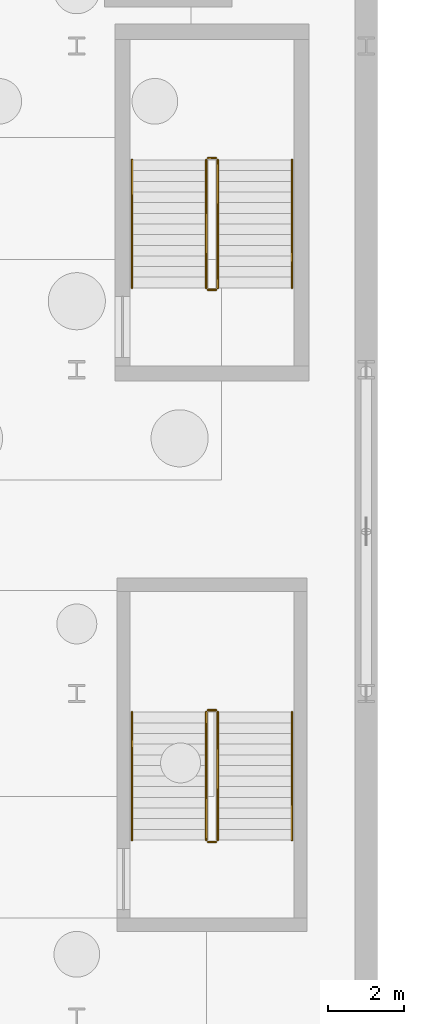
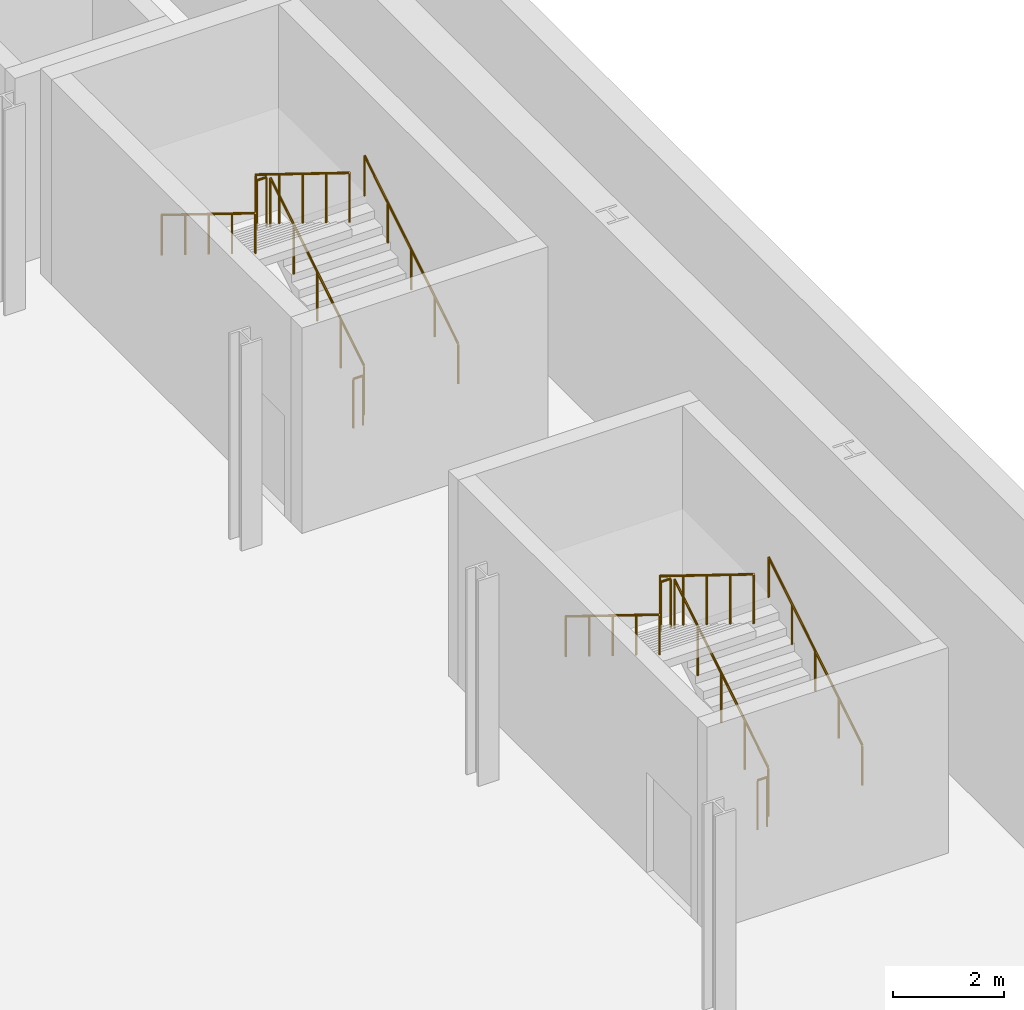
# One storey, part 44 of 45: 12 railings.
"""IFC4 building model written with IfcOpenShell, lengths in metres."""

from ifc_helpers import new_model, si_unit, direction, frame, origin, origin_2d, place, context, subcontext, project, spatial, circle, extrude, material, type_object, element, save


model = new_model("IFC4")

# Units and contexts
model_context = context("Model", 3, precision=1e-05, world=origin(), true_north=direction((0.0, 1.0)))
body_context = subcontext(model_context, "Body", "Model", "MODEL_VIEW")
ifc_project = project(units=[si_unit("LENGTHUNIT", "METRE"), si_unit("AREAUNIT", "SQUARE_METRE"), si_unit("VOLUMEUNIT", "CUBIC_METRE"), si_unit("PLANEANGLEUNIT", "RADIAN"), si_unit("MASSUNIT", "GRAM", prefix="KILO")], contexts=[model_context])

# Site, building, storey
site_placement = place(None, origin())
site = spatial("IfcSite", under=ifc_project, at=site_placement, CompositionType="ELEMENT")
building_placement = place(site_placement, origin())
building = spatial("IfcBuilding", under=site, at=building_placement, Name="Sefraquen Railside Congress Hotel", CompositionType="ELEMENT")
storey_placement = place(building_placement, frame((0.0, 0.0, -4.5)))
storey = spatial("IfcBuildingStorey", under=building, at=storey_placement, Name="B01", CompositionType="ELEMENT", Elevation=-4.5)

# Railings
ifc_material = material(Name="Patinated wrought architectural bronze", Category="metal")
railing_type_1 = type_object("IfcRailingType", Name="TRL-BAL-110", PredefinedType="BALUSTRADE", material=ifc_material)
railing_1_placement = place(storey_placement, frame((168.10009765625, 81.64990234375, 0.173095703125)))
element("IfcRailing", 1, at=railing_1_placement, inside=storey, type_object=railing_type_1, Name="B01 ST-B01 stair guard 1", PredefinedType="BALUSTRADE", context=body_context, shape_type="SweptSolid", body=[
    extrude(circle(Radius=0.02392578125, at=origin_2d()), frame((0.0, 0.0, 1.076171875), z_axis=(0.0, 0.850623216509, 0.525775754039), x_axis=(-1.0, 0.0, 0.0)), (0.0, 0.0, 1.0), 3.9501953125),
    extrude(circle(Radius=0.02099609375, at=origin_2d()), origin(), (0.0, 0.0, 1.0), 1.052001953125),
    extrude(circle(Radius=0.02099609375, at=origin_2d()), frame((0.0, 0.840087890625, 0.519287109375)), (0.0, 0.0, 1.0), 1.052001953125),
    extrude(circle(Radius=0.02099609375, at=origin_2d()), frame((0.0, 1.68017578125, 1.03857421875)), (0.0, 0.0, 1.0), 1.052001953125),
    extrude(circle(Radius=0.02099609375, at=origin_2d()), frame((0.0, 2.52001953125, 1.5576171875)), (0.0, 0.0, 1.0), 1.052001953125),
    extrude(circle(Radius=0.02099609375, at=origin_2d()), frame((0.0, 3.360107421875, 2.076904296875)), (0.0, 0.0, 1.0), 1.052001953125),
])
railing_2_placement = place(storey_placement, frame((168.050048828125, 85.06005859375, 2.25)))
element("IfcRailing", 2, at=railing_2_placement, inside=storey, type_object=railing_type_1, Name="B01 ST-B01 stair guard 2", PredefinedType="BALUSTRADE", context=body_context, shape_type="SweptSolid", body=[
    extrude(circle(Radius=0.02392578125, at=origin_2d()), frame((0.0, 0.0, 1.076171875), z_axis=(-1.0, 0.0, 0.0), x_axis=(0.0, -1.0, 0.0)), (0.0, 0.0, 1.0), 0.199951171875),
    extrude(circle(Radius=0.02099609375, at=origin_2d()), origin(), (0.0, 0.0, 1.0), 1.052001953125),
    extrude(circle(Radius=0.02099609375, at=origin_2d()), frame((-0.199951171875, 0.0, 0.0)), (0.0, 0.0, 1.0), 1.052001953125),
])
railing_3_placement = place(storey_placement, frame((167.800048828125, 85.010009765625, 2.423095703125)))
element("IfcRailing", 3, at=railing_3_placement, inside=storey, type_object=railing_type_1, Name="B01 ST-B01 stair guard 3", PredefinedType="BALUSTRADE", context=body_context, shape_type="SweptSolid", body=[
    extrude(circle(Radius=0.02392578125, at=origin_2d()), frame((0.0, 0.0, 1.076171875), z_axis=(0.0, -0.850623216509, 0.525775754039), x_axis=(1.0, 0.0, 0.0)), (0.0, 0.0, 1.0), 3.9501953125),
    extrude(circle(Radius=0.02099609375, at=origin_2d()), origin(), (0.0, 0.0, 1.0), 1.052001953125),
    extrude(circle(Radius=0.02099609375, at=origin_2d()), frame((0.0, -0.840087890625, 0.519287109375)), (0.0, 0.0, 1.0), 1.052001953125),
    extrude(circle(Radius=0.02099609375, at=origin_2d()), frame((0.0, -1.68017578125, 1.03857421875)), (0.0, 0.0, 1.0), 1.052001953125),
    extrude(circle(Radius=0.02099609375, at=origin_2d()), frame((0.0, -2.52001953125, 1.5576171875)), (0.0, 0.0, 1.0), 1.052001953125),
    extrude(circle(Radius=0.02099609375, at=origin_2d()), frame((0.0, -3.360107421875, 2.076904296875)), (0.0, 0.0, 1.0), 1.052001953125),
])
railing_4_placement = place(storey_placement, frame((168.050048828125, 81.60009765625, 0.0)))
element("IfcRailing", 4, at=railing_4_placement, inside=storey, type_object=railing_type_1, Name="B01 ST-B01 stair guard 4", PredefinedType="BALUSTRADE", context=body_context, shape_type="SweptSolid", body=[
    extrude(circle(Radius=0.02392578125, at=origin_2d()), frame((0.0, 0.0, 1.076171875), z_axis=(-1.0, 0.0, 0.0), x_axis=(0.0, -1.0, 0.0)), (0.0, 0.0, 1.0), 0.199951171875),
    extrude(circle(Radius=0.02099609375, at=origin_2d()), origin(), (0.0, 0.0, 1.0), 1.052001953125),
    extrude(circle(Radius=0.02099609375, at=origin_2d()), frame((-0.199951171875, 0.0, 0.0)), (0.0, 0.0, 1.0), 1.052001953125),
])
railing_5_placement = place(storey_placement, frame((168.10009765625, 67.14990234375, 0.173095703125)))
element("IfcRailing", 5, at=railing_5_placement, inside=storey, type_object=railing_type_1, Name="B01 ST-B02 stair guard 1", PredefinedType="BALUSTRADE", context=body_context, shape_type="SweptSolid", body=[
    extrude(circle(Radius=0.02392578125, at=origin_2d()), frame((0.0, 0.0, 1.076171875), z_axis=(0.0, 0.850623216509, 0.525775754039), x_axis=(-1.0, 0.0, 0.0)), (0.0, 0.0, 1.0), 3.9501953125),
    extrude(circle(Radius=0.02099609375, at=origin_2d()), origin(), (0.0, 0.0, 1.0), 1.052001953125),
    extrude(circle(Radius=0.02099609375, at=origin_2d()), frame((0.0, 0.840087890625, 0.519287109375)), (0.0, 0.0, 1.0), 1.052001953125),
    extrude(circle(Radius=0.02099609375, at=origin_2d()), frame((0.0, 1.68017578125, 1.03857421875)), (0.0, 0.0, 1.0), 1.052001953125),
    extrude(circle(Radius=0.02099609375, at=origin_2d()), frame((0.0, 2.52001953125, 1.5576171875)), (0.0, 0.0, 1.0), 1.052001953125),
    extrude(circle(Radius=0.02099609375, at=origin_2d()), frame((0.0, 3.360107421875, 2.076904296875)), (0.0, 0.0, 1.0), 1.052001953125),
])
railing_6_placement = place(storey_placement, frame((168.050048828125, 70.56005859375, 2.25)))
element("IfcRailing", 6, at=railing_6_placement, inside=storey, type_object=railing_type_1, Name="B01 ST-B02 stair guard 2", PredefinedType="BALUSTRADE", context=body_context, shape_type="SweptSolid", body=[
    extrude(circle(Radius=0.02392578125, at=origin_2d()), frame((0.0, 0.0, 1.076171875), z_axis=(-1.0, 0.0, 0.0), x_axis=(0.0, -1.0, 0.0)), (0.0, 0.0, 1.0), 0.199951171875),
    extrude(circle(Radius=0.02099609375, at=origin_2d()), origin(), (0.0, 0.0, 1.0), 1.052001953125),
    extrude(circle(Radius=0.02099609375, at=origin_2d()), frame((-0.199951171875, 0.0, 0.0)), (0.0, 0.0, 1.0), 1.052001953125),
])
railing_7_placement = place(storey_placement, frame((167.800048828125, 70.510009765625, 2.423095703125)))
element("IfcRailing", 7, at=railing_7_placement, inside=storey, type_object=railing_type_1, Name="B01 ST-B02 stair guard 3", PredefinedType="BALUSTRADE", context=body_context, shape_type="SweptSolid", body=[
    extrude(circle(Radius=0.02392578125, at=origin_2d()), frame((0.0, 0.0, 1.076171875), z_axis=(0.0, -0.850623216509, 0.525775754039), x_axis=(1.0, 0.0, 0.0)), (0.0, 0.0, 1.0), 3.9501953125),
    extrude(circle(Radius=0.02099609375, at=origin_2d()), origin(), (0.0, 0.0, 1.0), 1.052001953125),
    extrude(circle(Radius=0.02099609375, at=origin_2d()), frame((0.0, -0.840087890625, 0.519287109375)), (0.0, 0.0, 1.0), 1.052001953125),
    extrude(circle(Radius=0.02099609375, at=origin_2d()), frame((0.0, -1.68017578125, 1.03857421875)), (0.0, 0.0, 1.0), 1.052001953125),
    extrude(circle(Radius=0.02099609375, at=origin_2d()), frame((0.0, -2.52001953125, 1.5576171875)), (0.0, 0.0, 1.0), 1.052001953125),
    extrude(circle(Radius=0.02099609375, at=origin_2d()), frame((0.0, -3.360107421875, 2.076904296875)), (0.0, 0.0, 1.0), 1.052001953125),
])
railing_8_placement = place(storey_placement, frame((168.050048828125, 67.10009765625, 0.0)))
element("IfcRailing", 8, at=railing_8_placement, inside=storey, type_object=railing_type_1, Name="B01 ST-B02 stair guard 4", PredefinedType="BALUSTRADE", context=body_context, shape_type="SweptSolid", body=[
    extrude(circle(Radius=0.02392578125, at=origin_2d()), frame((0.0, 0.0, 1.076171875), z_axis=(-1.0, 0.0, 0.0), x_axis=(0.0, -1.0, 0.0)), (0.0, 0.0, 1.0), 0.199951171875),
    extrude(circle(Radius=0.02099609375, at=origin_2d()), origin(), (0.0, 0.0, 1.0), 1.052001953125),
    extrude(circle(Radius=0.02099609375, at=origin_2d()), frame((-0.199951171875, 0.0, 0.0)), (0.0, 0.0, 1.0), 1.052001953125),
])
railing_type_2 = type_object("IfcRailingType", Name="TRL-HR-090", PredefinedType="HANDRAIL", material=ifc_material)
railing_9_placement = place(storey_placement, frame((170.050048828125, 81.64990234375, 0.173095703125)))
element("IfcRailing", 9, at=railing_9_placement, inside=storey, type_object=railing_type_2, Name="B01 ST-B01 stair handrail 1", PredefinedType="HANDRAIL", context=body_context, shape_type="SweptSolid", body=[
    extrude(circle(Radius=0.02392578125, at=origin_2d()), frame((0.0, 0.0, 0.8759765625), z_axis=(0.0, 0.850623216509, 0.525775754039), x_axis=(-1.0, 0.0, 0.0)), (0.0, 0.0, 1.0), 3.9501953125),
    extrude(circle(Radius=0.02099609375, at=origin_2d()), origin(), (0.0, 0.0, 1.0), 0.851806640625),
    extrude(circle(Radius=0.02099609375, at=origin_2d()), frame((0.0, 0.840087890625, 0.519287109375)), (0.0, 0.0, 1.0), 0.851806640625),
    extrude(circle(Radius=0.02099609375, at=origin_2d()), frame((0.0, 1.68017578125, 1.03857421875)), (0.0, 0.0, 1.0), 0.851806640625),
    extrude(circle(Radius=0.02099609375, at=origin_2d()), frame((0.0, 2.52001953125, 1.5576171875)), (0.0, 0.0, 1.0), 0.851806640625),
    extrude(circle(Radius=0.02099609375, at=origin_2d()), frame((0.0, 3.360107421875, 2.076904296875)), (0.0, 0.0, 1.0), 0.851806640625),
])
railing_10_placement = place(storey_placement, frame((165.85009765625, 85.010009765625, 2.423095703125)))
element("IfcRailing", 10, at=railing_10_placement, inside=storey, type_object=railing_type_2, Name="B01 ST-B01 stair handrail 2", PredefinedType="HANDRAIL", context=body_context, shape_type="SweptSolid", body=[
    extrude(circle(Radius=0.02392578125, at=origin_2d()), frame((0.0, 0.0, 0.8759765625), z_axis=(0.0, -0.850623216509, 0.525775754039), x_axis=(1.0, 0.0, 0.0)), (0.0, 0.0, 1.0), 3.9501953125),
    extrude(circle(Radius=0.02099609375, at=origin_2d()), origin(), (0.0, 0.0, 1.0), 0.851806640625),
    extrude(circle(Radius=0.02099609375, at=origin_2d()), frame((0.0, -0.840087890625, 0.519287109375)), (0.0, 0.0, 1.0), 0.851806640625),
    extrude(circle(Radius=0.02099609375, at=origin_2d()), frame((0.0, -1.68017578125, 1.03857421875)), (0.0, 0.0, 1.0), 0.851806640625),
    extrude(circle(Radius=0.02099609375, at=origin_2d()), frame((0.0, -2.52001953125, 1.5576171875)), (0.0, 0.0, 1.0), 0.851806640625),
    extrude(circle(Radius=0.02099609375, at=origin_2d()), frame((0.0, -3.360107421875, 2.076904296875)), (0.0, 0.0, 1.0), 0.851806640625),
])
railing_11_placement = place(storey_placement, frame((170.050048828125, 67.14990234375, 0.173095703125)))
element("IfcRailing", 11, at=railing_11_placement, inside=storey, type_object=railing_type_2, Name="B01 ST-B02 stair handrail 1", PredefinedType="HANDRAIL", context=body_context, shape_type="SweptSolid", body=[
    extrude(circle(Radius=0.02392578125, at=origin_2d()), frame((0.0, 0.0, 0.8759765625), z_axis=(0.0, 0.850623216509, 0.525775754039), x_axis=(-1.0, 0.0, 0.0)), (0.0, 0.0, 1.0), 3.9501953125),
    extrude(circle(Radius=0.02099609375, at=origin_2d()), origin(), (0.0, 0.0, 1.0), 0.851806640625),
    extrude(circle(Radius=0.02099609375, at=origin_2d()), frame((0.0, 0.840087890625, 0.519287109375)), (0.0, 0.0, 1.0), 0.851806640625),
    extrude(circle(Radius=0.02099609375, at=origin_2d()), frame((0.0, 1.68017578125, 1.03857421875)), (0.0, 0.0, 1.0), 0.851806640625),
    extrude(circle(Radius=0.02099609375, at=origin_2d()), frame((0.0, 2.52001953125, 1.5576171875)), (0.0, 0.0, 1.0), 0.851806640625),
    extrude(circle(Radius=0.02099609375, at=origin_2d()), frame((0.0, 3.360107421875, 2.076904296875)), (0.0, 0.0, 1.0), 0.851806640625),
])
railing_12_placement = place(storey_placement, frame((165.85009765625, 70.510009765625, 2.423095703125)))
element("IfcRailing", 12, at=railing_12_placement, inside=storey, type_object=railing_type_2, Name="B01 ST-B02 stair handrail 2", PredefinedType="HANDRAIL", context=body_context, shape_type="SweptSolid", body=[
    extrude(circle(Radius=0.02392578125, at=origin_2d()), frame((0.0, 0.0, 0.8759765625), z_axis=(0.0, -0.850623216509, 0.525775754039), x_axis=(1.0, 0.0, 0.0)), (0.0, 0.0, 1.0), 3.9501953125),
    extrude(circle(Radius=0.02099609375, at=origin_2d()), origin(), (0.0, 0.0, 1.0), 0.851806640625),
    extrude(circle(Radius=0.02099609375, at=origin_2d()), frame((0.0, -0.840087890625, 0.519287109375)), (0.0, 0.0, 1.0), 0.851806640625),
    extrude(circle(Radius=0.02099609375, at=origin_2d()), frame((0.0, -1.68017578125, 1.03857421875)), (0.0, 0.0, 1.0), 0.851806640625),
    extrude(circle(Radius=0.02099609375, at=origin_2d()), frame((0.0, -2.52001953125, 1.5576171875)), (0.0, 0.0, 1.0), 0.851806640625),
    extrude(circle(Radius=0.02099609375, at=origin_2d()), frame((0.0, -3.360107421875, 2.076904296875)), (0.0, 0.0, 1.0), 0.851806640625),
])

save(model, "model.ifc")
